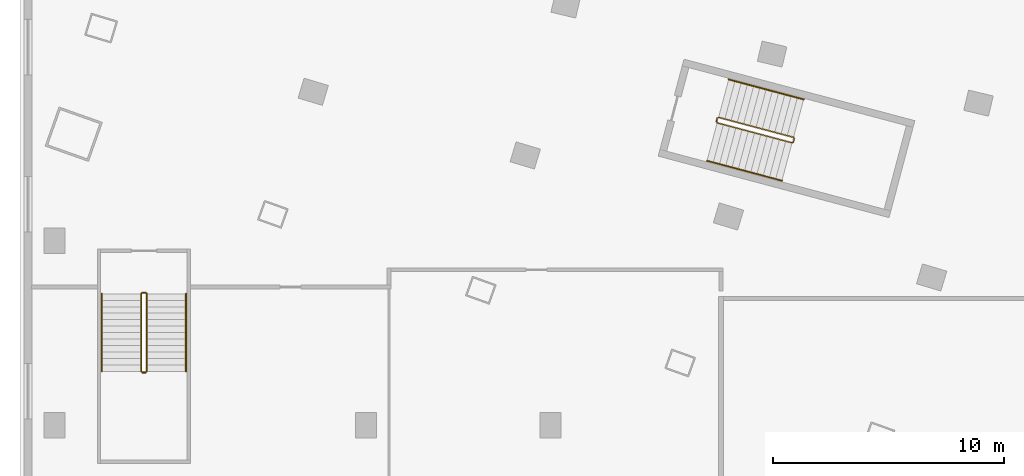
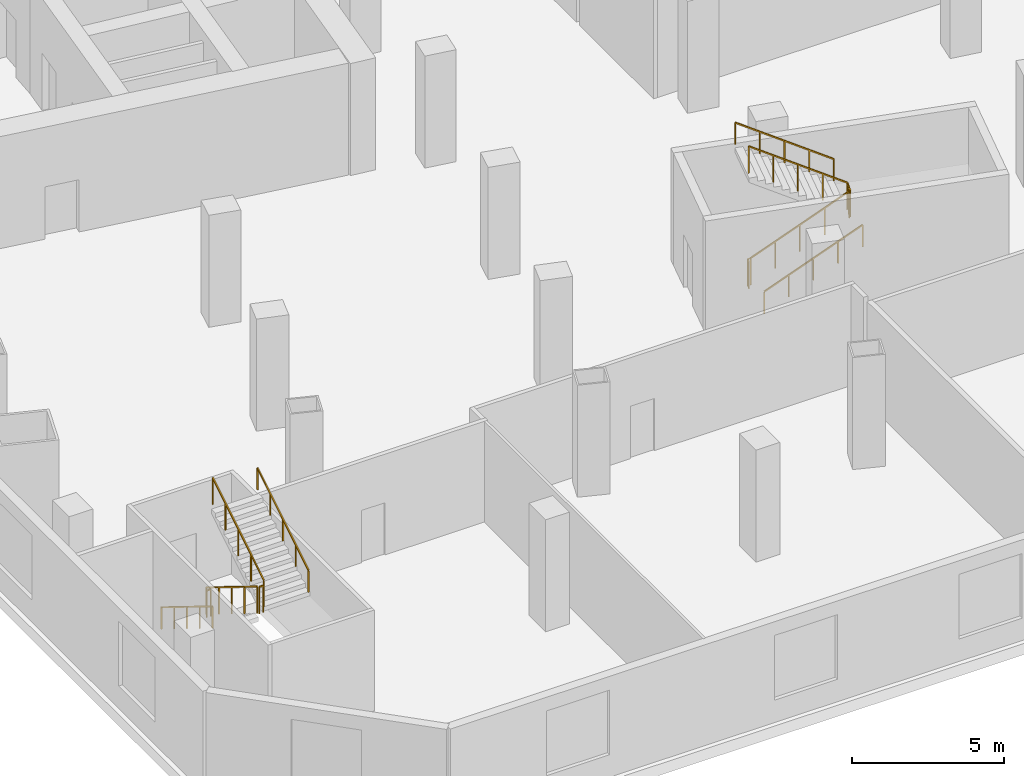
# One storey, part 12 of 16: 9 railings.
"""IFC4 building model written with IfcOpenShell, lengths in metres."""

from ifc_helpers import new_model, si_unit, direction, frame, origin, origin_with_axes, origin_2d, place, context, subcontext, project, spatial, rectangle, extrude, material, type_object, element, save


model = new_model("IFC4")

# Units and contexts
model_context = context("Model", 3, precision=1e-05, world=origin(), true_north=direction((0.0, 1.0)))
body_context = subcontext(model_context, "Body", "Model", "MODEL_VIEW")
ifc_project = project(units=[si_unit("LENGTHUNIT", "METRE"), si_unit("AREAUNIT", "SQUARE_METRE"), si_unit("VOLUMEUNIT", "CUBIC_METRE"), si_unit("PLANEANGLEUNIT", "RADIAN"), si_unit("MASSUNIT", "GRAM", prefix="KILO")], contexts=[model_context])

# Site, building, storey
site_placement = place(None, origin())
site = spatial("IfcSite", under=ifc_project, at=site_placement, CompositionType="ELEMENT")
building_placement = place(site_placement, origin())
building = spatial("IfcBuilding", under=site, at=building_placement, Name="Alderwake Tower", CompositionType="ELEMENT")
storey_placement = place(building_placement, frame((0.0, 0.0, 18.5)))
storey = spatial("IfcBuildingStorey", under=building, at=storey_placement, Name="L03", CompositionType="ELEMENT", Elevation=18.5)

# Railings
ifc_material_1 = material(Name="Stainless steel guard", Category="steel")
railing_type_1 = type_object("IfcRailingType", Name="Stair guard 1100", PredefinedType="GUARDRAIL", material=ifc_material_1)
railing_1_placement = place(storey_placement, frame((39.1943359375, 29.17431640625, 0.0)))
element("IfcRailing", 1, at=railing_1_placement, inside=storey, type_object=railing_type_1, Name="L03 ST-C stair guard 1", PredefinedType="GUARDRAIL", context=body_context, shape_type="SweptSolid", body=[
    extrude(rectangle(XDim=0.048095703125, YDim=0.048095703125, at=origin_2d()), frame((0.0, 0.0, 1.076171875), z_axis=(0.257459803502, 0.966289009345, 0.0), x_axis=(-0.966289009345, 0.257459803502, 0.0)), (0.0, 0.0, 1.0), 0.14990234375),
    extrude(rectangle(XDim=0.048095703125, YDim=0.048095703125, at=origin_2d()), frame((0.03857421875, 0.144775390625, 1.076171875), z_axis=(-0.011792936868, -0.765633747404, 0.643168633779), x_axis=(0.999881397308, -0.015401016783, 0.0)), (0.0, 0.0, 1.0), 0.26904296875),
    extrude(rectangle(XDim=0.048095703125, YDim=0.048095703125, at=origin_2d()), frame((0.035400390625, -0.061279296875, 1.2490234375), z_axis=(0.821962938046, -0.218918168777, 0.525786804569), x_axis=(0.257364156602, 0.966314488609, 0.0)), (0.0, 0.0, 1.0), 3.9501953125),
    extrude(rectangle(XDim=0.048095703125, YDim=0.048095703125, at=origin_2d()), frame((3.2822265625, -0.926025390625, 3.326171875), z_axis=(0.865898279276, 0.500220121494, 0.0), x_axis=(-0.500220121494, 0.865898279276, 0.0)), (0.0, 0.0, 1.0), 0.07080078125),
    extrude(rectangle(XDim=0.048095703125, YDim=0.048095703125, at=origin_2d()), frame((3.343505859375, -0.890625, 3.326171875), z_axis=(0.257055032184, 0.966396766566, 0.0), x_axis=(-0.966396766566, 0.257055032184, 0.0)), (0.0, 0.0, 1.0), 0.150146484375),
    extrude(rectangle(XDim=0.048095703125, YDim=0.048095703125, at=origin_2d()), frame((3.382080078125, -0.74560546875, 3.326171875), z_axis=(-0.189383820124, 0.3265238278, 0.926021575642), x_axis=(-0.865031189262, -0.501718089772, 0.0)), (0.0, 0.0, 1.0), 0.18701171875),
    extrude(rectangle(XDim=0.048095703125, YDim=0.048095703125, at=origin_2d()), frame((3.3466796875, -0.6845703125, 3.4990234375), z_axis=(-0.821951815101, 0.218977011873, 0.525779689531), x_axis=(-0.257432002611, -0.966296416237, 0.0)), (0.0, 0.0, 1.0), 3.9501953125),
    extrude(rectangle(XDim=0.0419921875, YDim=0.0419921875, at=origin_2d()), frame((0.0, 0.0, 0.0), z_axis=(0.0, 0.0, 1.0), x_axis=(0.257459803502, 0.966289009345, 0.0)), (0.0, 0.0, 1.0), 1.052001953125),
    extrude(rectangle(XDim=0.0419921875, YDim=0.0419921875, at=origin_2d()), frame((0.03857421875, 0.144775390625, 0.0), z_axis=(0.0, 0.0, 1.0), x_axis=(-0.015401016783, -0.999881397308, 0.0)), (0.0, 0.0, 1.0), 1.052001953125),
    extrude(rectangle(XDim=0.0419921875, YDim=0.0419921875, at=origin_2d()), frame((0.035400390625, -0.061279296875, 0.173095703125), z_axis=(0.0, 0.0, 1.0), x_axis=(0.966314488609, -0.257364156602, 0.0)), (0.0, 0.0, 1.0), 1.052001953125),
    extrude(rectangle(XDim=0.0419921875, YDim=0.0419921875, at=origin_2d()), frame((0.84716796875, -0.27734375, 0.6923828125), z_axis=(0.0, 0.0, 1.0), x_axis=(0.966314488609, -0.257364156602, 0.0)), (0.0, 0.0, 1.0), 1.052001953125),
    extrude(rectangle(XDim=0.0419921875, YDim=0.0419921875, at=origin_2d()), frame((1.65869140625, -0.49365234375, 1.21142578125), z_axis=(0.0, 0.0, 1.0), x_axis=(0.966314488609, -0.257364156602, 0.0)), (0.0, 0.0, 1.0), 1.052001953125),
    extrude(rectangle(XDim=0.0419921875, YDim=0.0419921875, at=origin_2d()), frame((2.470458984375, -0.7099609375, 1.730712890625), z_axis=(0.0, 0.0, 1.0), x_axis=(0.966314488609, -0.257364156602, 0.0)), (0.0, 0.0, 1.0), 1.052001953125),
    extrude(rectangle(XDim=0.0419921875, YDim=0.0419921875, at=origin_2d()), frame((3.2822265625, -0.926025390625, 2.25), z_axis=(0.0, 0.0, 1.0), x_axis=(0.865898279276, 0.500220121494, 0.0)), (0.0, 0.0, 1.0), 1.052001953125),
    extrude(rectangle(XDim=0.0419921875, YDim=0.0419921875, at=origin_2d()), frame((3.343505859375, -0.890625, 2.25), z_axis=(0.0, 0.0, 1.0), x_axis=(0.257055032184, 0.966396766566, 0.0)), (0.0, 0.0, 1.0), 1.052001953125),
    extrude(rectangle(XDim=0.0419921875, YDim=0.0419921875, at=origin_2d()), frame((3.382080078125, -0.74560546875, 2.25), z_axis=(0.0, 0.0, 1.0), x_axis=(-0.501718089772, 0.865031189262, 0.0)), (0.0, 0.0, 1.0), 1.052001953125),
    extrude(rectangle(XDim=0.0419921875, YDim=0.0419921875, at=origin_2d()), frame((3.3466796875, -0.6845703125, 2.423095703125), z_axis=(0.0, 0.0, 1.0), x_axis=(-0.966296416237, 0.257432002611, 0.0)), (0.0, 0.0, 1.0), 1.052001953125),
    extrude(rectangle(XDim=0.0419921875, YDim=0.0419921875, at=origin_2d()), frame((2.534912109375, -0.46826171875, 2.9423828125), z_axis=(0.0, 0.0, 1.0), x_axis=(-0.966296416237, 0.257432002611, 0.0)), (0.0, 0.0, 1.0), 1.052001953125),
    extrude(rectangle(XDim=0.0419921875, YDim=0.0419921875, at=origin_2d()), frame((1.72314453125, -0.251953125, 3.46142578125), z_axis=(0.0, 0.0, 1.0), x_axis=(-0.966296416237, 0.257432002611, 0.0)), (0.0, 0.0, 1.0), 1.052001953125),
    extrude(rectangle(XDim=0.0419921875, YDim=0.0419921875, at=origin_2d()), frame((0.91162109375, -0.035888671875, 3.980712890625), z_axis=(0.0, 0.0, 1.0), x_axis=(-0.966296416237, 0.257432002611, 0.0)), (0.0, 0.0, 1.0), 1.052001953125),
    extrude(rectangle(XDim=0.0419921875, YDim=0.0419921875, at=origin_2d()), frame((0.099853515625, 0.180419921875, 4.5), z_axis=(0.0, 0.0, 1.0), x_axis=(-0.966296416237, 0.257432002611, 0.0)), (0.0, 0.0, 1.0), 1.052001953125),
])
railing_2_placement = place(storey_placement, frame((14.25, 21.699951171875, 0.173095703125)))
element("IfcRailing", 2, at=railing_2_placement, inside=storey, type_object=railing_type_1, Name="L03 ST-P1 stair guard 1", PredefinedType="GUARDRAIL", context=body_context, shape_type="SweptSolid", body=[
    extrude(rectangle(XDim=0.048095703125, YDim=0.048095703125, at=origin_2d()), frame((0.0, 0.0, 1.076171875), z_axis=(0.0, -0.850606129759, 0.525803396734), x_axis=(1.0, 0.0, 0.0)), (0.0, 0.0, 1.0), 3.949951171875),
    extrude(rectangle(XDim=0.0419921875, YDim=0.0419921875, at=origin_2d()), frame((0.0, 0.0, 0.0), z_axis=(0.0, 0.0, 1.0), x_axis=(0.0, -1.0, 0.0)), (0.0, 0.0, 1.0), 1.052001953125),
    extrude(rectangle(XDim=0.0419921875, YDim=0.0419921875, at=origin_2d()), frame((0.0, -0.83984375, 0.519287109375), z_axis=(0.0, 0.0, 1.0), x_axis=(0.0, -1.0, 0.0)), (0.0, 0.0, 1.0), 1.052001953125),
    extrude(rectangle(XDim=0.0419921875, YDim=0.0419921875, at=origin_2d()), frame((0.0, -1.679931640625, 1.03857421875), z_axis=(0.0, 0.0, 1.0), x_axis=(0.0, -1.0, 0.0)), (0.0, 0.0, 1.0), 1.052001953125),
    extrude(rectangle(XDim=0.0419921875, YDim=0.0419921875, at=origin_2d()), frame((0.0, -2.52001953125, 1.5576171875), z_axis=(0.0, 0.0, 1.0), x_axis=(0.0, -1.0, 0.0)), (0.0, 0.0, 1.0), 1.052001953125),
    extrude(rectangle(XDim=0.0419921875, YDim=0.0419921875, at=origin_2d()), frame((0.0, -3.35986328125, 2.076904296875), z_axis=(0.0, 0.0, 1.0), x_axis=(0.0, -1.0, 0.0)), (0.0, 0.0, 1.0), 1.052001953125),
])
railing_3_placement = place(storey_placement, frame((14.300048828125, 18.2900390625, 2.25)))
element("IfcRailing", 3, at=railing_3_placement, inside=storey, type_object=railing_type_1, Name="L03 ST-P1 stair guard 2", PredefinedType="GUARDRAIL", context=body_context, shape_type="SweptSolid", body=[
    extrude(rectangle(XDim=0.048095703125, YDim=0.048095703125, at=origin_2d()), frame((0.0, 0.0, 1.076171875), z_axis=(1.0, 0.0, 0.0), x_axis=(0.0, 1.0, 0.0)), (0.0, 0.0, 1.0), 0.14990234375),
    extrude(rectangle(XDim=0.0419921875, YDim=0.0419921875, at=origin_2d()), origin_with_axes(), (0.0, 0.0, 1.0), 1.052001953125),
    extrude(rectangle(XDim=0.0419921875, YDim=0.0419921875, at=origin_2d()), frame((0.14990234375, 0.0, 0.0), z_axis=(0.0, 0.0, 1.0), x_axis=(1.0, 0.0, 0.0)), (0.0, 0.0, 1.0), 1.052001953125),
])
railing_4_placement = place(storey_placement, frame((14.5, 18.340087890625, 2.423095703125)))
element("IfcRailing", 4, at=railing_4_placement, inside=storey, type_object=railing_type_1, Name="L03 ST-P1 stair guard 3", PredefinedType="GUARDRAIL", context=body_context, shape_type="SweptSolid", body=[
    extrude(rectangle(XDim=0.048095703125, YDim=0.048095703125, at=origin_2d()), frame((0.0, 0.0, 1.076171875), z_axis=(0.0, 0.850606129759, 0.525803396734), x_axis=(-1.0, 0.0, 0.0)), (0.0, 0.0, 1.0), 3.949951171875),
    extrude(rectangle(XDim=0.0419921875, YDim=0.0419921875, at=origin_2d()), frame((0.0, 0.0, 0.0), z_axis=(0.0, 0.0, 1.0), x_axis=(0.0, 1.0, 0.0)), (0.0, 0.0, 1.0), 1.052001953125),
    extrude(rectangle(XDim=0.0419921875, YDim=0.0419921875, at=origin_2d()), frame((0.0, 0.83984375, 0.519287109375), z_axis=(0.0, 0.0, 1.0), x_axis=(0.0, 1.0, 0.0)), (0.0, 0.0, 1.0), 1.052001953125),
    extrude(rectangle(XDim=0.0419921875, YDim=0.0419921875, at=origin_2d()), frame((0.0, 1.679931640625, 1.03857421875), z_axis=(0.0, 0.0, 1.0), x_axis=(0.0, 1.0, 0.0)), (0.0, 0.0, 1.0), 1.052001953125),
    extrude(rectangle(XDim=0.0419921875, YDim=0.0419921875, at=origin_2d()), frame((0.0, 2.52001953125, 1.5576171875), z_axis=(0.0, 0.0, 1.0), x_axis=(0.0, 1.0, 0.0)), (0.0, 0.0, 1.0), 1.052001953125),
    extrude(rectangle(XDim=0.0419921875, YDim=0.0419921875, at=origin_2d()), frame((0.0, 3.35986328125, 2.076904296875), z_axis=(0.0, 0.0, 1.0), x_axis=(0.0, 1.0, 0.0)), (0.0, 0.0, 1.0), 1.052001953125),
])
railing_5_placement = place(storey_placement, frame((14.300048828125, 21.75, 0.0)))
element("IfcRailing", 5, at=railing_5_placement, inside=storey, type_object=railing_type_1, Name="L03 ST-P1 stair guard 4", PredefinedType="GUARDRAIL", context=body_context, shape_type="SweptSolid", body=[
    extrude(rectangle(XDim=0.048095703125, YDim=0.048095703125, at=origin_2d()), frame((0.0, 0.0, 1.076171875), z_axis=(1.0, 0.0, 0.0), x_axis=(0.0, 1.0, 0.0)), (0.0, 0.0, 1.0), 0.14990234375),
    extrude(rectangle(XDim=0.0419921875, YDim=0.0419921875, at=origin_2d()), origin_with_axes(), (0.0, 0.0, 1.0), 1.052001953125),
    extrude(rectangle(XDim=0.0419921875, YDim=0.0419921875, at=origin_2d()), frame((0.14990234375, 0.0, 0.0), z_axis=(0.0, 0.0, 1.0), x_axis=(1.0, 0.0, 0.0)), (0.0, 0.0, 1.0), 1.052001953125),
])
ifc_material_2 = material(Name="Stainless steel handrail", Category="steel")
railing_type_2 = type_object("IfcRailingType", Name="Stair handrail 900", PredefinedType="HANDRAIL", material=ifc_material_2)
railing_6_placement = place(storey_placement, frame((38.792236328125, 27.47021484375, 0.173095703125)))
element("IfcRailing", 6, at=railing_6_placement, inside=storey, type_object=railing_type_2, Name="L03 ST-C stair handrail 1", PredefinedType="HANDRAIL", context=body_context, shape_type="SweptSolid", body=[
    extrude(rectangle(XDim=0.048095703125, YDim=0.048095703125, at=origin_2d()), frame((0.0, 0.0, 0.8759765625), z_axis=(0.821962938046, -0.218918168777, 0.525786804569), x_axis=(0.257364156602, 0.966314488609, 0.0)), (0.0, 0.0, 1.0), 3.9501953125),
    extrude(rectangle(XDim=0.0419921875, YDim=0.0419921875, at=origin_2d()), frame((0.0, 0.0, 0.0), z_axis=(0.0, 0.0, 1.0), x_axis=(0.966314488609, -0.257364156602, 0.0)), (0.0, 0.0, 1.0), 0.851806640625),
    extrude(rectangle(XDim=0.0419921875, YDim=0.0419921875, at=origin_2d()), frame((0.811767578125, -0.21630859375, 0.519287109375), z_axis=(0.0, 0.0, 1.0), x_axis=(0.966314488609, -0.257364156602, 0.0)), (0.0, 0.0, 1.0), 0.851806640625),
    extrude(rectangle(XDim=0.0419921875, YDim=0.0419921875, at=origin_2d()), frame((1.62353515625, -0.432373046875, 1.03857421875), z_axis=(0.0, 0.0, 1.0), x_axis=(0.966314488609, -0.257364156602, 0.0)), (0.0, 0.0, 1.0), 0.851806640625),
    extrude(rectangle(XDim=0.0419921875, YDim=0.0419921875, at=origin_2d()), frame((2.43505859375, -0.6484375, 1.5576171875), z_axis=(0.0, 0.0, 1.0), x_axis=(0.966314488609, -0.257364156602, 0.0)), (0.0, 0.0, 1.0), 0.851806640625),
    extrude(rectangle(XDim=0.0419921875, YDim=0.0419921875, at=origin_2d()), frame((3.246826171875, -0.86474609375, 2.076904296875), z_axis=(0.0, 0.0, 1.0), x_axis=(0.966314488609, -0.257364156602, 0.0)), (0.0, 0.0, 1.0), 0.851806640625),
])
railing_7_placement = place(storey_placement, frame((42.978515625, 30.132568359375, 2.423095703125)))
element("IfcRailing", 7, at=railing_7_placement, inside=storey, type_object=railing_type_2, Name="L03 ST-C stair handrail 2", PredefinedType="HANDRAIL", context=body_context, shape_type="SweptSolid", body=[
    extrude(rectangle(XDim=0.048095703125, YDim=0.048095703125, at=origin_2d()), frame((0.0, 0.0, 0.8759765625), z_axis=(-0.821962938046, 0.218918168777, 0.525786804569), x_axis=(-0.257364156602, -0.966314488609, 0.0)), (0.0, 0.0, 1.0), 3.9501953125),
    extrude(rectangle(XDim=0.0419921875, YDim=0.0419921875, at=origin_2d()), frame((0.0, 0.0, 0.0), z_axis=(0.0, 0.0, 1.0), x_axis=(-0.966314488609, 0.257364156602, 0.0)), (0.0, 0.0, 1.0), 0.851806640625),
    extrude(rectangle(XDim=0.0419921875, YDim=0.0419921875, at=origin_2d()), frame((-0.811767578125, 0.21630859375, 0.519287109375), z_axis=(0.0, 0.0, 1.0), x_axis=(-0.966314488609, 0.257364156602, 0.0)), (0.0, 0.0, 1.0), 0.851806640625),
    extrude(rectangle(XDim=0.0419921875, YDim=0.0419921875, at=origin_2d()), frame((-1.62353515625, 0.432373046875, 1.03857421875), z_axis=(0.0, 0.0, 1.0), x_axis=(-0.966314488609, 0.257364156602, 0.0)), (0.0, 0.0, 1.0), 0.851806640625),
    extrude(rectangle(XDim=0.0419921875, YDim=0.0419921875, at=origin_2d()), frame((-2.43505859375, 0.6484375, 1.5576171875), z_axis=(0.0, 0.0, 1.0), x_axis=(-0.966314488609, 0.257364156602, 0.0)), (0.0, 0.0, 1.0), 0.851806640625),
    extrude(rectangle(XDim=0.0419921875, YDim=0.0419921875, at=origin_2d()), frame((-3.246826171875, 0.86474609375, 2.076904296875), z_axis=(0.0, 0.0, 1.0), x_axis=(-0.966314488609, 0.257364156602, 0.0)), (0.0, 0.0, 1.0), 0.851806640625),
])
railing_8_placement = place(storey_placement, frame((12.550048828125, 21.699951171875, 0.173095703125)))
element("IfcRailing", 8, at=railing_8_placement, inside=storey, type_object=railing_type_2, Name="L03 ST-P1 stair handrail 1", PredefinedType="HANDRAIL", context=body_context, shape_type="SweptSolid", body=[
    extrude(rectangle(XDim=0.048095703125, YDim=0.048095703125, at=origin_2d()), frame((0.0, 0.0, 0.8759765625), z_axis=(0.0, -0.850606129759, 0.525803396734), x_axis=(1.0, 0.0, 0.0)), (0.0, 0.0, 1.0), 3.949951171875),
    extrude(rectangle(XDim=0.0419921875, YDim=0.0419921875, at=origin_2d()), frame((0.0, 0.0, 0.0), z_axis=(0.0, 0.0, 1.0), x_axis=(0.0, -1.0, 0.0)), (0.0, 0.0, 1.0), 0.851806640625),
    extrude(rectangle(XDim=0.0419921875, YDim=0.0419921875, at=origin_2d()), frame((0.0, -0.83984375, 0.519287109375), z_axis=(0.0, 0.0, 1.0), x_axis=(0.0, -1.0, 0.0)), (0.0, 0.0, 1.0), 0.851806640625),
    extrude(rectangle(XDim=0.0419921875, YDim=0.0419921875, at=origin_2d()), frame((0.0, -1.679931640625, 1.03857421875), z_axis=(0.0, 0.0, 1.0), x_axis=(0.0, -1.0, 0.0)), (0.0, 0.0, 1.0), 0.851806640625),
    extrude(rectangle(XDim=0.0419921875, YDim=0.0419921875, at=origin_2d()), frame((0.0, -2.52001953125, 1.5576171875), z_axis=(0.0, 0.0, 1.0), x_axis=(0.0, -1.0, 0.0)), (0.0, 0.0, 1.0), 0.851806640625),
    extrude(rectangle(XDim=0.0419921875, YDim=0.0419921875, at=origin_2d()), frame((0.0, -3.35986328125, 2.076904296875), z_axis=(0.0, 0.0, 1.0), x_axis=(0.0, -1.0, 0.0)), (0.0, 0.0, 1.0), 0.851806640625),
])
railing_9_placement = place(storey_placement, frame((16.199951171875, 18.340087890625, 2.423095703125)))
element("IfcRailing", 9, at=railing_9_placement, inside=storey, type_object=railing_type_2, Name="L03 ST-P1 stair handrail 2", PredefinedType="HANDRAIL", context=body_context, shape_type="SweptSolid", body=[
    extrude(rectangle(XDim=0.048095703125, YDim=0.048095703125, at=origin_2d()), frame((0.0, 0.0, 0.8759765625), z_axis=(0.0, 0.850606129759, 0.525803396734), x_axis=(-1.0, 0.0, 0.0)), (0.0, 0.0, 1.0), 3.949951171875),
    extrude(rectangle(XDim=0.0419921875, YDim=0.0419921875, at=origin_2d()), frame((0.0, 0.0, 0.0), z_axis=(0.0, 0.0, 1.0), x_axis=(0.0, 1.0, 0.0)), (0.0, 0.0, 1.0), 0.851806640625),
    extrude(rectangle(XDim=0.0419921875, YDim=0.0419921875, at=origin_2d()), frame((0.0, 0.83984375, 0.519287109375), z_axis=(0.0, 0.0, 1.0), x_axis=(0.0, 1.0, 0.0)), (0.0, 0.0, 1.0), 0.851806640625),
    extrude(rectangle(XDim=0.0419921875, YDim=0.0419921875, at=origin_2d()), frame((0.0, 1.679931640625, 1.03857421875), z_axis=(0.0, 0.0, 1.0), x_axis=(0.0, 1.0, 0.0)), (0.0, 0.0, 1.0), 0.851806640625),
    extrude(rectangle(XDim=0.0419921875, YDim=0.0419921875, at=origin_2d()), frame((0.0, 2.52001953125, 1.5576171875), z_axis=(0.0, 0.0, 1.0), x_axis=(0.0, 1.0, 0.0)), (0.0, 0.0, 1.0), 0.851806640625),
    extrude(rectangle(XDim=0.0419921875, YDim=0.0419921875, at=origin_2d()), frame((0.0, 3.35986328125, 2.076904296875), z_axis=(0.0, 0.0, 1.0), x_axis=(0.0, 1.0, 0.0)), (0.0, 0.0, 1.0), 0.851806640625),
])

save(model, "model.ifc")
